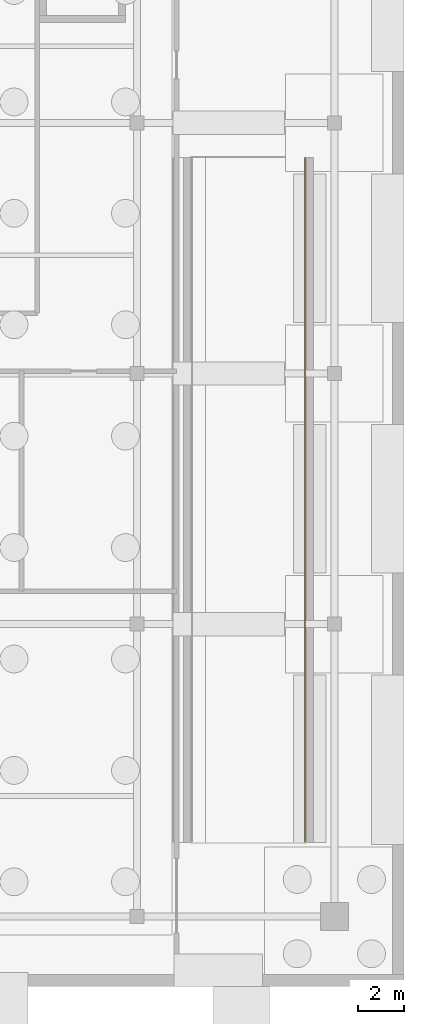
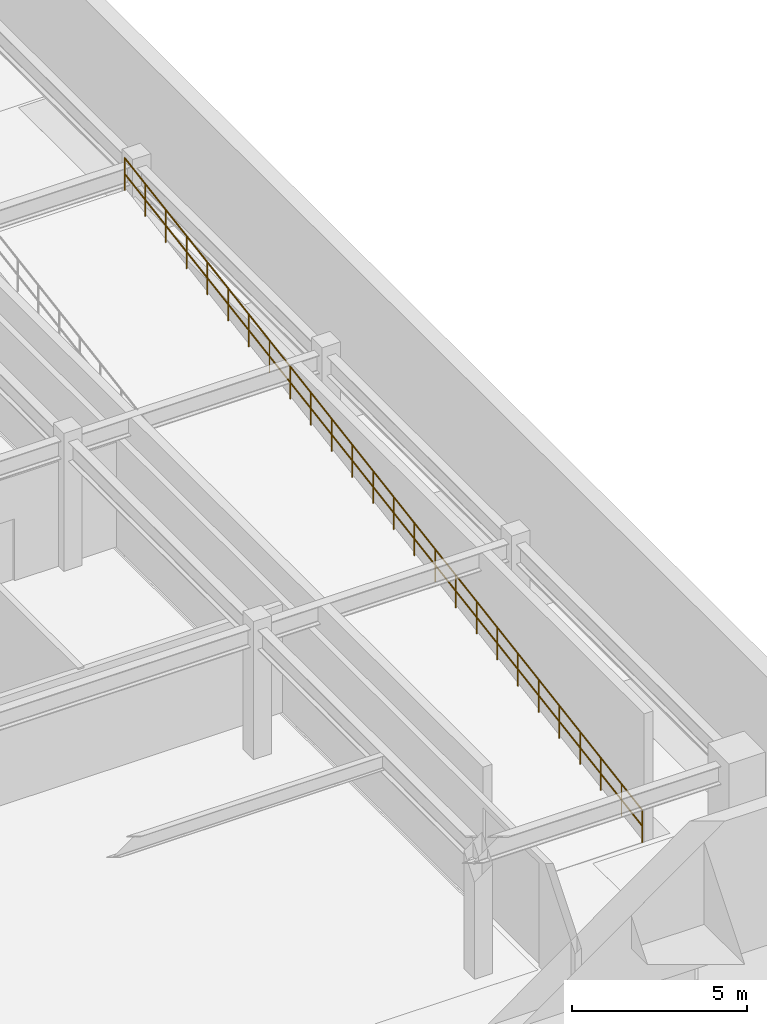
# One storey, part 8 of 9: 1 railing.
"""IFC4 building model written with IfcOpenShell, lengths in metres."""

from ifc_helpers import new_model, si_unit, direction, frame, origin, origin_2d, place, context, subcontext, project, spatial, circle, extrude, material, layer, layer_set, type_object, element, save


model = new_model("IFC4")

# Units and contexts
model_context = context("Model", 3, precision=1e-05, world=origin(), true_north=direction((0.0, 1.0)))
body_context = subcontext(model_context, "Body", "Model", "MODEL_VIEW")
ifc_project = project(units=[si_unit("LENGTHUNIT", "METRE"), si_unit("AREAUNIT", "SQUARE_METRE"), si_unit("VOLUMEUNIT", "CUBIC_METRE"), si_unit("PLANEANGLEUNIT", "RADIAN"), si_unit("MASSUNIT", "GRAM", prefix="KILO")], contexts=[model_context])

# Site, building, storey
site_placement = place(None, origin())
site = spatial("IfcSite", under=ifc_project, at=site_placement, CompositionType="ELEMENT")
building_placement = place(site_placement, origin())
building = spatial("IfcBuilding", under=site, at=building_placement, Name="Krantzveldt Concourse Tower", CompositionType="ELEMENT")
storey_placement = place(building_placement, frame((0.0, 0.0, -4.800048828125)))
storey = spatial("IfcBuildingStorey", under=building, at=storey_placement, Name="B1", CompositionType="ELEMENT", Elevation=-4.800048828125)

# Railing
ifc_material = material(Name="Stainless steel 316L", Category="steel")
ifc_layer = layer(ifc_material, 0.06005859375, Name="Stainless steel 316L", Category="steel")
ifc_layer_set = layer_set([ifc_layer], Name="Stainless steel 316L (RL-GUARD-1120)")
railing_type = type_object("IfcRailingType", Name="RL-GUARD-1120", PredefinedType="GUARDRAIL", material=ifc_layer_set)
railing_placement = place(storey_placement, frame((67.739990234375, 6.5, 0.0)))
element("IfcRailing", 1, at=railing_placement, inside=storey, type_object=railing_type, Name="GD-B1-VRMP-E", PredefinedType="GUARDRAIL", context=body_context, shape_type="SweptSolid", body=[
    extrude(circle(Radius=0.02392578125, at=origin_2d()), frame((0.0, 0.0, 1.1259765625), z_axis=(0.0, 0.98701934778, 0.160601391988), x_axis=(-1.0, 0.0, 0.0)), (0.0, 0.0, 1.0), 29.887939453125),
    extrude(circle(Radius=0.02392578125, at=origin_2d()), frame((0.0, 0.0, 0.574951171875), z_axis=(0.0, 0.98701934778, 0.160601391988), x_axis=(-1.0, 0.0, 0.0)), (0.0, 0.0, 1.0), 29.887939453125),
    extrude(circle(Radius=0.02099609375, at=origin_2d()), origin(), (0.0, 0.0, 1.0), 1.101806640625),
    extrude(circle(Radius=0.02099609375, at=origin_2d()), frame((0.0, 1.179931640625, 0.19189453125)), (0.0, 0.0, 1.0), 1.101806640625),
    extrude(circle(Radius=0.02099609375, at=origin_2d()), frame((0.0, 2.360107421875, 0.384033203125)), (0.0, 0.0, 1.0), 1.101806640625),
    extrude(circle(Radius=0.02099609375, at=origin_2d()), frame((0.0, 3.5400390625, 0.575927734375)), (0.0, 0.0, 1.0), 1.101806640625),
    extrude(circle(Radius=0.02099609375, at=origin_2d()), frame((0.0, 4.719970703125, 0.76806640625)), (0.0, 0.0, 1.0), 1.101806640625),
    extrude(circle(Radius=0.02099609375, at=origin_2d()), frame((0.0, 5.89990234375, 0.9599609375)), (0.0, 0.0, 1.0), 1.101806640625),
    extrude(circle(Radius=0.02099609375, at=origin_2d()), frame((0.0, 7.080078125, 1.152099609375)), (0.0, 0.0, 1.0), 1.101806640625),
    extrude(circle(Radius=0.02099609375, at=origin_2d()), frame((0.0, 8.260009765625, 1.343994140625)), (0.0, 0.0, 1.0), 1.101806640625),
    extrude(circle(Radius=0.02099609375, at=origin_2d()), frame((0.0, 9.43994140625, 1.5361328125)), (0.0, 0.0, 1.0), 1.101806640625),
    extrude(circle(Radius=0.02099609375, at=origin_2d()), frame((0.0, 10.6201171875, 1.72802734375)), (0.0, 0.0, 1.0), 1.101806640625),
    extrude(circle(Radius=0.02099609375, at=origin_2d()), frame((0.0, 11.800048828125, 1.919921875)), (0.0, 0.0, 1.0), 1.101806640625),
    extrude(circle(Radius=0.02099609375, at=origin_2d()), frame((0.0, 12.97998046875, 2.112060546875)), (0.0, 0.0, 1.0), 1.101806640625),
    extrude(circle(Radius=0.02099609375, at=origin_2d()), frame((0.0, 14.159912109375, 2.303955078125)), (0.0, 0.0, 1.0), 1.101806640625),
    extrude(circle(Radius=0.02099609375, at=origin_2d()), frame((0.0, 15.340087890625, 2.49609375)), (0.0, 0.0, 1.0), 1.101806640625),
    extrude(circle(Radius=0.02099609375, at=origin_2d()), frame((0.0, 16.52001953125, 2.68798828125)), (0.0, 0.0, 1.0), 1.101806640625),
    extrude(circle(Radius=0.02099609375, at=origin_2d()), frame((0.0, 17.699951171875, 2.880126953125)), (0.0, 0.0, 1.0), 1.101806640625),
    extrude(circle(Radius=0.02099609375, at=origin_2d()), frame((0.0, 18.8798828125, 3.072021484375)), (0.0, 0.0, 1.0), 1.101806640625),
    extrude(circle(Radius=0.02099609375, at=origin_2d()), frame((0.0, 20.06005859375, 3.263916015625)), (0.0, 0.0, 1.0), 1.101806640625),
    extrude(circle(Radius=0.02099609375, at=origin_2d()), frame((0.0, 21.239990234375, 3.4560546875)), (0.0, 0.0, 1.0), 1.101806640625),
    extrude(circle(Radius=0.02099609375, at=origin_2d()), frame((0.0, 22.419921875, 3.64794921875)), (0.0, 0.0, 1.0), 1.101806640625),
    extrude(circle(Radius=0.02099609375, at=origin_2d()), frame((0.0, 23.60009765625, 3.840087890625)), (0.0, 0.0, 1.0), 1.101806640625),
    extrude(circle(Radius=0.02099609375, at=origin_2d()), frame((0.0, 24.780029296875, 4.031982421875)), (0.0, 0.0, 1.0), 1.101806640625),
    extrude(circle(Radius=0.02099609375, at=origin_2d()), frame((0.0, 25.9599609375, 4.22412109375)), (0.0, 0.0, 1.0), 1.101806640625),
    extrude(circle(Radius=0.02099609375, at=origin_2d()), frame((0.0, 27.139892578125, 4.416015625)), (0.0, 0.0, 1.0), 1.101806640625),
    extrude(circle(Radius=0.02099609375, at=origin_2d()), frame((0.0, 28.320068359375, 4.608154296875)), (0.0, 0.0, 1.0), 1.101806640625),
    extrude(circle(Radius=0.02099609375, at=origin_2d()), frame((0.0, 29.5, 4.800048828125)), (0.0, 0.0, 1.0), 1.101806640625),
])

save(model, "model.ifc")
